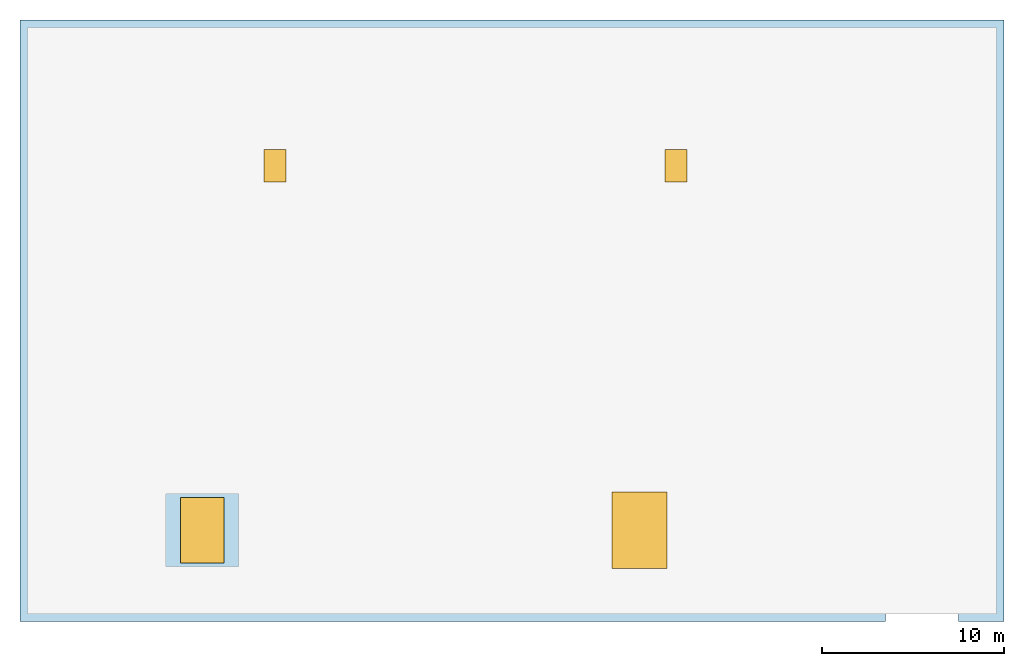
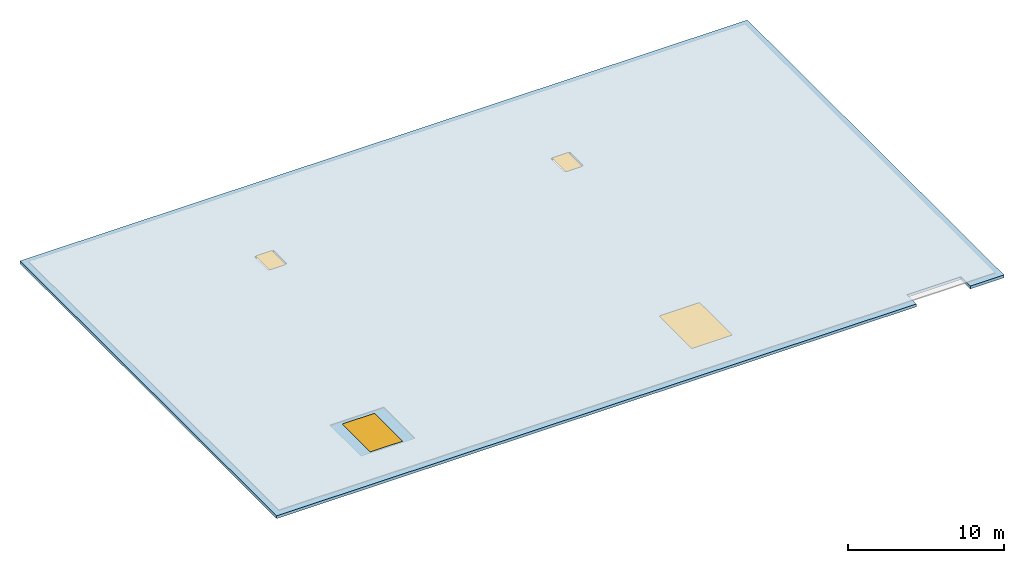
# One storey, part 1 of 2: 4 windows, 1 slab, 4 openings.
"""IFC4 building model written with IfcOpenShell, lengths in metres."""

from ifc_helpers import new_model, si_unit, direction, frame, origin, origin_2d, place, context, subcontext, project, spatial, polyline, rectangle, outline, extrude, material, layer, layer_set, type_object, element, fill, save


model = new_model("IFC4")

# Units and contexts
model_context = context("Model", 3, precision=1e-05, world=origin(), true_north=direction((0.0, 1.0)))
body_context = subcontext(model_context, "Body", "Model", "MODEL_VIEW")
ifc_project = project(units=[si_unit("LENGTHUNIT", "METRE"), si_unit("AREAUNIT", "SQUARE_METRE"), si_unit("VOLUMEUNIT", "CUBIC_METRE"), si_unit("PLANEANGLEUNIT", "RADIAN"), si_unit("MASSUNIT", "GRAM", prefix="KILO")], contexts=[model_context])

# Site, building, storey
site_placement = place(None, origin())
site = spatial("IfcSite", under=ifc_project, at=site_placement, CompositionType="ELEMENT")
building_placement = place(site_placement, origin())
building = spatial("IfcBuilding", under=site, at=building_placement, Name="Marlcrest Central Station", CompositionType="ELEMENT")
storey_placement = place(building_placement, frame((0.0, 0.0, 28.199951171875)))
storey = spatial("IfcBuildingStorey", under=building, at=storey_placement, Name="Roof", CompositionType="ELEMENT", Elevation=28.199951171875)

# Slab, openings, windows
ifc_material_1 = material(Name="Concrete C40/50", Category="concrete")
ifc_layer = layer(ifc_material_1, 0.219970703125, Name="RS-01")
ifc_layer_set = layer_set([ifc_layer], Name="Concrete C40/50")
slab_type = type_object("IfcSlabType", Name="RS-01", PredefinedType="ROOF", material=ifc_layer_set)
slab_placement = place(storey_placement, frame((0.0, 0.0, -0.219970703125)))
slab = element("IfcSlab", 1, at=slab_placement, inside=storey, type_object=slab_type, Name="slab-Roof-0011", PredefinedType="ROOF", context=body_context, shape_type="SweptSolid", body=[
    extrude(outline(polyline([(0.0, 99.0), (47.5, 99.0), (47.5, 100.199951171875), (51.5, 100.199951171875), (51.5, 99.0), (54.0, 99.0), (54.0, 132.0), (0.0, 132.0), (0.0, 99.0)]), holes=[polyline([(8.800048828125, 102.5), (11.199951171875, 102.5), (11.199951171875, 105.5), (8.800048828125, 105.5), (8.800048828125, 102.5)]), polyline([(32.5, 102.199951171875), (35.5, 102.199951171875), (35.5, 105.800048828125), (32.5, 105.800048828125), (32.5, 102.199951171875)]), polyline([(13.300048828125, 123.14990234375), (14.699951171875, 123.14990234375), (14.699951171875, 124.85009765625), (13.300048828125, 124.85009765625), (13.300048828125, 123.14990234375)]), polyline([(35.300048828125, 123.14990234375), (36.699951171875, 123.14990234375), (36.699951171875, 124.85009765625), (35.300048828125, 124.85009765625), (35.300048828125, 123.14990234375)])]), origin(), (0.0, 0.0, 1.0), 0.219970703125),
])
opening_1_placement = place(slab_placement, frame((10.0, 104.0, 0.0)))
opening_1 = element("IfcOpeningElement", 2, at=opening_1_placement, cuts=slab, Name="Opening SK-01", PredefinedType="OPENING", context=body_context, shape_type="SweptSolid", body=[
    extrude(rectangle(XDim=2.39990234375, YDim=3.60009765625, at=origin_2d()), origin(), (0.0, 0.0, 1.0), 0.219970703125),
])
opening_2_placement = place(slab_placement, frame((34.0, 104.0, 0.0)))
opening_2 = element("IfcOpeningElement", 3, at=opening_2_placement, cuts=slab, Name="Opening SK-02", PredefinedType="OPENING", context=body_context, shape_type="SweptSolid", body=[
    extrude(rectangle(XDim=3.0, YDim=4.199951171875, at=origin_2d()), origin(), (0.0, 0.0, 1.0), 0.219970703125),
])
opening_3_placement = place(slab_placement, frame((14.0, 124.0, 0.0)))
opening_3 = element("IfcOpeningElement", 4, at=opening_3_placement, cuts=slab, Name="Opening RH-02", PredefinedType="OPENING", context=body_context, shape_type="SweptSolid", body=[
    extrude(rectangle(XDim=1.199951171875, YDim=1.800048828125, at=origin_2d()), origin(), (0.0, 0.0, 1.0), 0.219970703125),
])
opening_4_placement = place(slab_placement, frame((36.0, 124.0, 0.0)))
opening_4 = element("IfcOpeningElement", 5, at=opening_4_placement, cuts=slab, Name="Opening RH-02", PredefinedType="OPENING", context=body_context, shape_type="SweptSolid", body=[
    extrude(rectangle(XDim=1.199951171875, YDim=1.800048828125, at=origin_2d()), origin(), (0.0, 0.0, 1.0), 0.219970703125),
])
ifc_material_2 = material(Name="Thermally broken bronze-anodised aluminium and laminated low-E glass", Category="aluminium")
window_type_1 = type_object("IfcWindowType", Name="RH-02", PartitioningType="SINGLE_PANEL", PredefinedType="LIGHTDOME", material=ifc_material_2)
window_1_placement = place(opening_3_placement, frame((0.0, 0.0, 0.169921875)))
window_1 = element("IfcWindow", 6, at=window_1_placement, inside=storey, type_object=window_type_1, Name="hatch-rf-14-124", OverallHeight=1.800048828125, OverallWidth=1.199951171875, PartitioningType="SINGLE_PANEL", PredefinedType="LIGHTDOME", context=body_context, shape_type="SweptSolid", body=[
    extrude(rectangle(XDim=1.199951171875, YDim=1.800048828125, at=origin_2d()), origin(), (0.0, 0.0, 1.0), 0.050048828125),
])
fill(opening_3, window_1)
window_2_placement = place(opening_4_placement, frame((0.0, 0.0, 0.169921875)))
window_2 = element("IfcWindow", 7, at=window_2_placement, inside=storey, type_object=window_type_1, Name="hatch-rf-36-124", OverallHeight=1.800048828125, OverallWidth=1.199951171875, PartitioningType="SINGLE_PANEL", PredefinedType="LIGHTDOME", context=body_context, shape_type="SweptSolid", body=[
    extrude(rectangle(XDim=1.199951171875, YDim=1.800048828125, at=origin_2d()), origin(), (0.0, 0.0, 1.0), 0.050048828125),
])
fill(opening_4, window_2)
window_type_2 = type_object("IfcWindowType", Name="SK-01", PartitioningType="SINGLE_PANEL", PredefinedType="SKYLIGHT", material=ifc_material_2)
window_3_placement = place(opening_1_placement, frame((0.0, 0.0, 0.169921875)))
window_3 = element("IfcWindow", 8, at=window_3_placement, inside=storey, type_object=window_type_2, Name="hatch-rf-10-104", OverallHeight=3.60009765625, OverallWidth=2.39990234375, PartitioningType="SINGLE_PANEL", PredefinedType="SKYLIGHT", context=body_context, shape_type="SweptSolid", body=[
    extrude(rectangle(XDim=2.39990234375, YDim=3.60009765625, at=origin_2d()), origin(), (0.0, 0.0, 1.0), 0.050048828125),
])
fill(opening_1, window_3)
window_type_3 = type_object("IfcWindowType", Name="SK-02", PartitioningType="SINGLE_PANEL", PredefinedType="SKYLIGHT", material=ifc_material_2)
window_4_placement = place(opening_2_placement, frame((0.0, 0.0, 0.169921875)))
window_4 = element("IfcWindow", 9, at=window_4_placement, inside=storey, type_object=window_type_3, Name="hatch-rf-34-104", OverallHeight=4.199951171875, OverallWidth=3.0, PartitioningType="SINGLE_PANEL", PredefinedType="SKYLIGHT", context=body_context, shape_type="SweptSolid", body=[
    extrude(rectangle(XDim=3.0, YDim=4.199951171875, at=origin_2d()), origin(), (0.0, 0.0, 1.0), 0.050048828125),
])
fill(opening_2, window_4)

save(model, "model.ifc")
